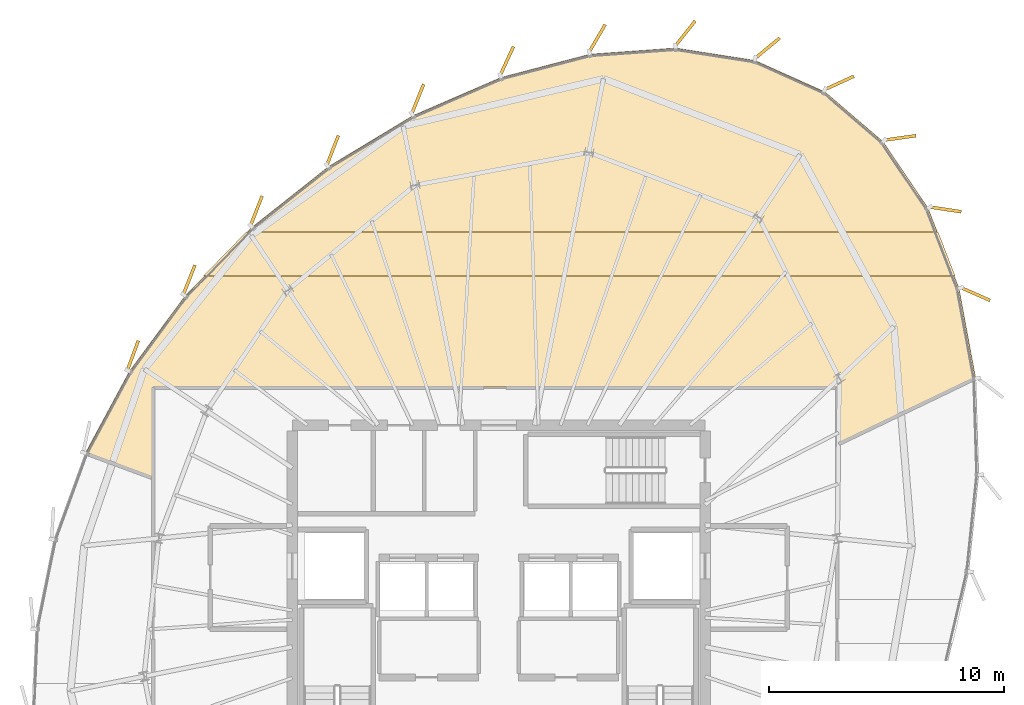
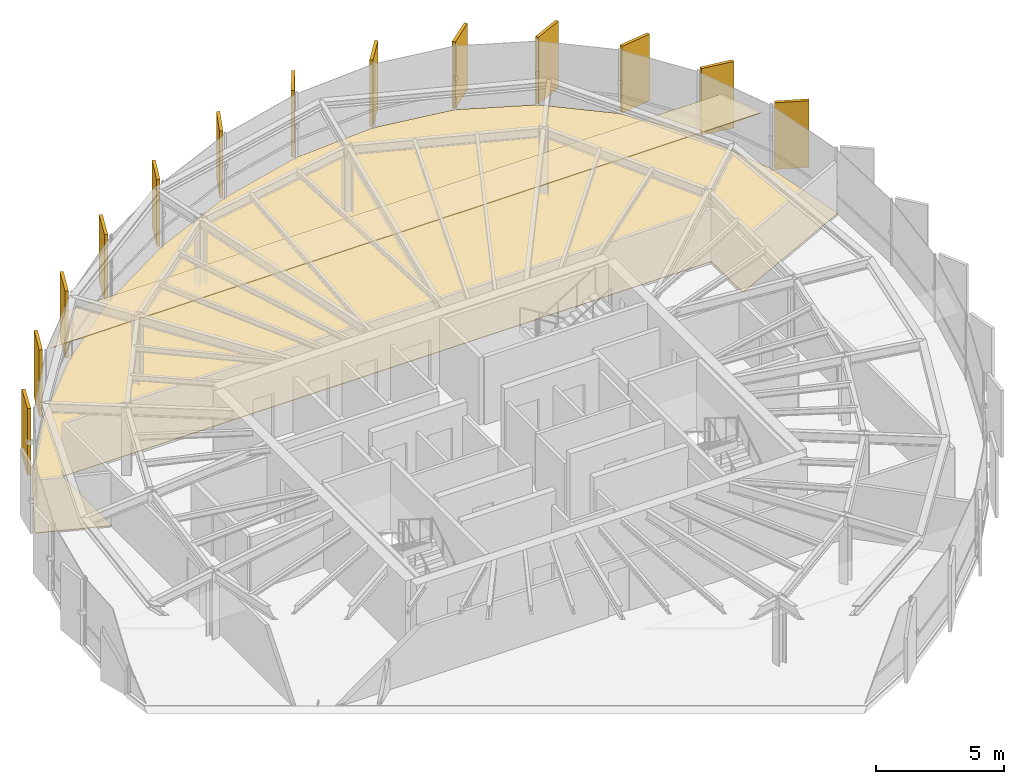
# One storey, part 33 of 33: 15 coverings.
"""IFC4 building model written with IfcOpenShell, lengths in metres."""

from ifc_helpers import new_model, si_unit, direction, frame, origin, origin_2d, place, context, subcontext, project, spatial, polyline, rectangle, outline, extrude, source, transform, mapped, material, layer, layer_set, type_object, element, save


model = new_model("IFC4")

# Units and contexts
model_context = context("Model", 3, precision=1e-05, world=origin(), true_north=direction((0.0, 1.0)))
body_context = subcontext(model_context, "Body", "Model", "MODEL_VIEW")
ifc_project = project(units=[si_unit("LENGTHUNIT", "METRE"), si_unit("AREAUNIT", "SQUARE_METRE"), si_unit("VOLUMEUNIT", "CUBIC_METRE"), si_unit("PLANEANGLEUNIT", "RADIAN"), si_unit("MASSUNIT", "GRAM", prefix="KILO"), si_unit("THERMODYNAMICTEMPERATUREUNIT", "KELVIN")], contexts=[model_context])

# Site, building, storey
site_placement = place(None, origin())
site = spatial("IfcSite", under=ifc_project, at=site_placement, CompositionType="ELEMENT")
building_placement = place(site_placement, origin())
building = spatial("IfcBuilding", under=site, at=building_placement, Name="Kethvar Cultural Tower", CompositionType="ELEMENT")
storey_placement = place(building_placement, frame((0.0, 0.0, 266.35009765625)))
storey = spatial("IfcBuildingStorey", under=building, at=storey_placement, Name="L70", CompositionType="ELEMENT", Elevation=266.35009765625)

# Coverings
ifc_material_1 = material(Name="Acoustic Mineral Fibre Ceiling")
ifc_layer_1 = layer(ifc_material_1, 0.0400390625, Name="Acoustic Mineral Fibre Ceiling")
ifc_layer_set_1 = layer_set([ifc_layer_1], Name="Acoustic Mineral Fibre Ceiling (40 mm)")
covering_type_1 = type_object("IfcCoveringType", Name="CV-ACOUSTIC-CEIL", PredefinedType="CEILING", material=ifc_layer_set_1)
covering_1_placement = place(storey_placement, frame((0.0, 0.0, 2.449951171875)))
element("IfcCovering", 1, at=covering_1_placement, inside=storey, type_object=covering_type_1, Name="L70 Room 03 Acoustic Ceiling Panel", PredefinedType="CEILING", context=body_context, shape_type="SweptSolid", body=[
    extrude(outline(polyline([(66.26220703125, 41.85791015625), (34.2060546875, 41.85791015625), (36.02783203125, 43.727783203125), (65.541015625, 43.727783203125), (66.26220703125, 41.85791015625)])), origin(), (0.0, 0.0, 1.0), 0.0400390625),
])
ifc_material_2 = material(Name="Architectural Oak Timber", Category="wood")
ifc_layer_2 = layer(ifc_material_2, 0.02490234375, Name="Architectural Oak Timber", Category="wood")
ifc_layer_set_2 = layer_set([ifc_layer_2], Name="Architectural Oak Timber (25 mm)")
covering_type_2 = type_object("IfcCoveringType", Name="CV-OAK-FLOOR", PredefinedType="FLOORING", material=ifc_layer_set_2)
covering_2_placement = place(storey_placement, origin())
element("IfcCovering", 2, at=covering_2_placement, inside=storey, type_object=covering_type_2, Name="L70 Room 03 Floor Finish", PredefinedType="FLOORING", context=body_context, shape_type="SweptSolid", body=[
    extrude(outline(polyline([(65.104736328125, 44.748046875), (66.42333984375, 41.32861328125), (67.134521484375, 37.497314453125), (61.24609375, 34.695556640625), (61.22802734375, 37.119873046875), (32.070068359375, 37.1201171875), (32.050048828125, 33.26611328125), (29.189453125, 34.322021484375), (31.056884765625, 37.791015625), (33.434814453125, 41.0087890625), (36.2939453125, 43.943603515625), (39.566162109375, 46.53515625), (43.146484375, 48.6962890625), (46.903076171875, 50.32470703125), (50.685791015625, 51.31591796875), (54.34130859375, 51.578857421875), (57.722900390625, 51.050537109375), (60.704345703125, 49.70947265625), (63.18701171875, 47.5830078125), (65.104736328125, 44.748046875)])), origin(), (0.0, 0.0, 1.0), 0.02490234375),
])
ifc_material_3 = material(Name="Extruded Architectural Terracotta", Category="masonry")
ifc_layer_3 = layer(ifc_material_3, 0.135009765625, Name="Extruded Architectural Terracotta", Category="masonry")
ifc_layer_set_3 = layer_set([ifc_layer_3], Name="Extruded Architectural Terracotta (135 mm)")
covering_type_3 = type_object("IfcCoveringType", Name="Terracotta Facade Fin FIN-03", PredefinedType="CLADDING", material=ifc_layer_set_3)
shared_shape = source(origin(), body_context, "Body", "SweptSolid", [
    extrude(rectangle(XDim=1.35009765625, YDim=0.135009765625, at=origin_2d()), origin(), (0.0, 0.0, 1.0), 3.169921875),
])
for number, where, z_axis, x_axis, name in (
    (3, (61.3291015625, 50.095458984375, 0.02001953125), (0.0, 0.0, 1.0), (0.909090744247, 0.416598150168, 0.0), "L70 Vertical Terracotta Fin 1.1"),
    (4, (58.26123046875, 51.5791015625, 0.02001953125), (0.0, 0.0, 1.0), (0.770624482513, 0.637289500111, 0.0), "L70 Vertical Terracotta Fin 1.2"),
    (5, (54.75732421875, 52.206298828125, 0.02001953125), (0.0, 0.0, 1.0), (0.623743186154, 0.781629348046, 0.0), "L70 Vertical Terracotta Fin 1.3"),
    (6, (51.00146484375, 51.99658203125, 0.02001953125), (0.0, 0.0, 1.0), (0.50256734447, 0.864538064097, 0.0), "L70 Vertical Terracotta Fin 1.4"),
    (7, (47.147705078125, 51.02978515625, 0.02001953125), (0.0, 0.0, 1.0), (0.419452082446, 0.907777478533, 0.0), "L70 Vertical Terracotta Fin 1.5"),
    (8, (43.3486328125, 49.408447265625, 0.02001953125), (0.0, 0.0, 1.0), (0.374282922379, 0.927314560446, 0.0), "L70 Vertical Terracotta Fin 1.6"),
    (9, (39.720947265625, 47.221435546875, 0.02001953125), (0.0, 0.0, 1.0), (0.361299105657, 0.932449975201, 0.0), "L70 Vertical Terracotta Fin 2.1"),
    (10, (36.468994140625, 44.64306640625, 0.02001953125), (0.0, 0.0, 1.0), (0.364064146031, 0.931373876365, 0.0), "L70 Vertical Terracotta Fin 2.2"),
    (11, (33.603271484375, 41.697265625, 0.02001953125), (0.0, 0.0, 1.0), (0.367475356588, 0.930033258707, 0.0), "L70 Vertical Terracotta Fin 2.3"),
    (12, (31.20361328125, 38.47265625, 0.02001953125), (0.0, 0.0, 1.0), (0.346771953791, 0.937949472021, 0.0), "L70 Vertical Terracotta Fin 2.4"),
    (13, (67.135009765625, 41.0908203125, 0.02001953125), (0.0, 0.0, 1.0), (0.915100475986, -0.403225890599, 0.0), "L70 Vertical Terracotta Fin 6.4"),
    (14, (65.856201171875, 44.700927734375, 0.02001953125), (0.0, 0.0, 1.0), (0.988651744738, -0.150225589121, 0.0), "L70 Vertical Terracotta Fin 6.5"),
    (15, (63.922607421875, 47.749755859375, 0.02001953125), (0.0, 0.0, 1.0), (0.990557380089, 0.137098784642, 0.0), "L70 Vertical Terracotta Fin 6.6"),
):
    element("IfcCovering", number, at=place(storey_placement, frame(where, z_axis=z_axis, x_axis=x_axis)), inside=storey, type_object=covering_type_3, Name=name, PredefinedType="CLADDING", context=body_context, shape_type="MappedRepresentation", body=[
        mapped(shared_shape, transform((0.0, 0.0, 0.0), scale=1.0)),
    ])

save(model, "model.ifc")
